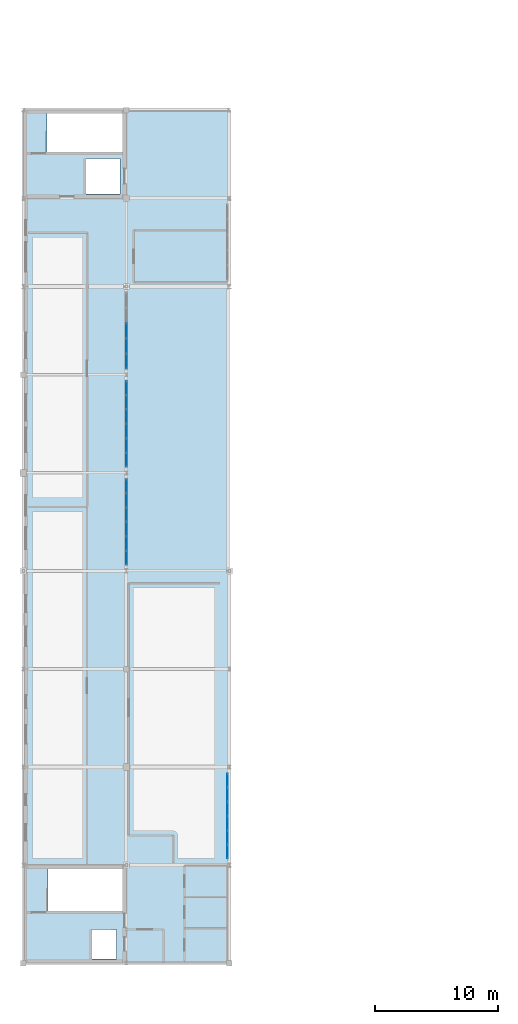
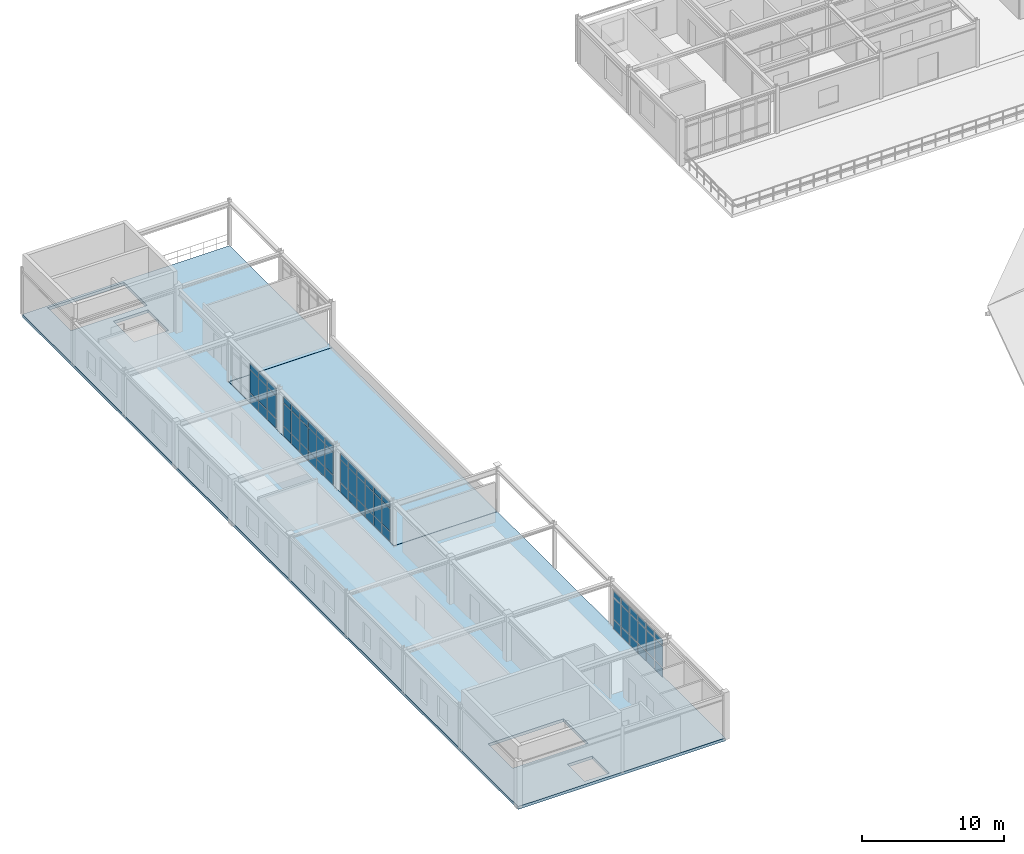
# One storey, part 32 of 58: 63 plates, 2 slabs, 4 elements without a shape of their own.
"""IFC4 building model written with IfcOpenShell, lengths in metres."""

from ifc_helpers import new_model, si_unit, derived_unit, direction, frame, origin, origin_2d, place, context, subcontext, project, spatial, polyline, rectangle, outline, extrude, material, layer, layer_set, type_object, element, aggregate, save


model = new_model("IFC4")

# Units and contexts
model_context = context("Model", 3, precision=1e-05, world=origin(), true_north=direction((0.0, 1.0)))
body_context = subcontext(model_context, "Body", "Model", "MODEL_VIEW")
ifc_project = project(units=[si_unit("LENGTHUNIT", "METRE"), si_unit("AREAUNIT", "SQUARE_METRE"), si_unit("VOLUMEUNIT", "CUBIC_METRE"), si_unit("PLANEANGLEUNIT", "RADIAN"), si_unit("MASSUNIT", "GRAM", prefix="KILO"), derived_unit("THERMALTRANSMITTANCEUNIT", [(si_unit("POWERUNIT", "WATT"), 1), (si_unit("AREAUNIT", "SQUARE_METRE"), -1), (si_unit("THERMODYNAMICTEMPERATUREUNIT", "KELVIN"), -1)])], contexts=[model_context])

# Site, building, storey
site_placement = place(None, origin())
site = spatial("IfcSite", under=ifc_project, at=site_placement, CompositionType="ELEMENT")
building_placement = place(site_placement, origin())
building = spatial("IfcBuilding", under=site, at=building_placement, Name="Yasenodar Specialist Clinic", CompositionType="ELEMENT")
storey_placement = place(building_placement, frame((0.0, 0.0, 21.300048828125)))
storey = spatial("IfcBuildingStorey", under=building, at=storey_placement, Name="L05", CompositionType="ELEMENT", Elevation=21.300048828125)

# Curtain wall, plates
ifc_material_1 = material(Name="Bronze Anodized Aluminium and Triple Low-E Glass", Category="aluminium")
ifc_layer_1 = layer(ifc_material_1, 0.202880859375)
ifc_layer_set_1 = layer_set([ifc_layer_1], Name="Bronze Anodized Aluminium and Triple Low-E Glass")
curtain_wall_type = type_object("IfcCurtainWallType", Name="CW-SYS-04", PredefinedType="USERDEFINED", material=ifc_layer_set_1)
curtain_wall_1_placement = place(storey_placement, origin())
curtain_wall_1 = element("IfcCurtainWall", 1, at=curtain_wall_1_placement, inside=storey, type_object=curtain_wall_type, Name="L05 Unitised Curtain Wall 144", ObjectType="UNITISED CURTAIN WALL", PredefinedType="USERDEFINED")
ifc_material_2 = material(Name="Triple Low-E Argon Glazing", Category="glass")
ifc_layer_2 = layer(ifc_material_2, 0.028076171875)
ifc_layer_set_2 = layer_set([ifc_layer_2], Name="Triple Low-E Argon Glazing")
plate_type_1 = type_object("IfcPlateType", Name="CW-PAN-1", PredefinedType="CURTAIN_PANEL", material=ifc_layer_set_2)
plate_1_placement = place(storey_placement, frame((8.39990234375, 73.71826171875, 0.059814453125), z_axis=(0.0, 0.0, 1.0), x_axis=(0.0, -1.0, 0.0)))
plate_1 = element("IfcPlate", 2, at=plate_1_placement, type_object=plate_type_1, Name="CW-04 panel 1.1", PredefinedType="CURTAIN_PANEL", context=body_context, shape_type="SweptSolid", body=[
    extrude(rectangle(XDim=1.083251953125, YDim=0.028076171875, at=origin_2d()), origin(), (0.0, 0.0, 1.0), 0.81005859375),
])
plate_2_placement = place(storey_placement, frame((8.39990234375, 73.71826171875, 0.929931640625), z_axis=(0.0, 0.0, 1.0), x_axis=(0.0, -1.0, 0.0)))
plate_2 = element("IfcPlate", 3, at=plate_2_placement, type_object=plate_type_1, Name="CW-04 panel 1.2", PredefinedType="CURTAIN_PANEL", context=body_context, shape_type="SweptSolid", body=[
    extrude(rectangle(XDim=1.083251953125, YDim=0.028076171875, at=origin_2d()), origin(), (0.0, 0.0, 1.0), 1.91796875),
])
plate_3_placement = place(storey_placement, frame((8.39990234375, 73.71826171875, 2.90771484375), z_axis=(0.0, 0.0, 1.0), x_axis=(0.0, -1.0, 0.0)))
plate_3 = element("IfcPlate", 4, at=plate_3_placement, type_object=plate_type_1, Name="CW-04 panel 1.3", PredefinedType="CURTAIN_PANEL", context=body_context, shape_type="SweptSolid", body=[
    extrude(rectangle(XDim=1.083251953125, YDim=0.028076171875, at=origin_2d()), origin(), (0.0, 0.0, 1.0), 0.510009765625),
])
plate_4_placement = place(storey_placement, frame((8.39990234375, 72.56005859375, 0.059814453125), z_axis=(0.0, 0.0, 1.0), x_axis=(0.0, -1.0, 0.0)))
plate_4 = element("IfcPlate", 5, at=plate_4_placement, type_object=plate_type_1, Name="CW-04 panel 2.1", PredefinedType="CURTAIN_PANEL", context=body_context, shape_type="SweptSolid", body=[
    extrude(rectangle(XDim=1.11328125, YDim=0.028076171875, at=origin_2d()), origin(), (0.0, 0.0, 1.0), 0.81005859375),
])
plate_5_placement = place(storey_placement, frame((8.39990234375, 72.56005859375, 0.929931640625), z_axis=(0.0, 0.0, 1.0), x_axis=(0.0, -1.0, 0.0)))
plate_5 = element("IfcPlate", 6, at=plate_5_placement, type_object=plate_type_1, Name="CW-04 panel 2.2", PredefinedType="CURTAIN_PANEL", context=body_context, shape_type="SweptSolid", body=[
    extrude(rectangle(XDim=1.11328125, YDim=0.028076171875, at=origin_2d()), origin(), (0.0, 0.0, 1.0), 1.91796875),
])
plate_6_placement = place(storey_placement, frame((8.39990234375, 72.56005859375, 2.90771484375), z_axis=(0.0, 0.0, 1.0), x_axis=(0.0, -1.0, 0.0)))
plate_6 = element("IfcPlate", 7, at=plate_6_placement, type_object=plate_type_1, Name="CW-04 panel 2.3", PredefinedType="CURTAIN_PANEL", context=body_context, shape_type="SweptSolid", body=[
    extrude(rectangle(XDim=1.11328125, YDim=0.028076171875, at=origin_2d()), origin(), (0.0, 0.0, 1.0), 0.510009765625),
])
plate_7_placement = place(storey_placement, frame((8.39990234375, 71.38671875, 0.059814453125), z_axis=(0.0, 0.0, 1.0), x_axis=(0.0, -1.0, 0.0)))
plate_7 = element("IfcPlate", 8, at=plate_7_placement, type_object=plate_type_1, Name="CW-04 panel 3.1", PredefinedType="CURTAIN_PANEL", context=body_context, shape_type="SweptSolid", body=[
    extrude(rectangle(XDim=1.11328125, YDim=0.028076171875, at=origin_2d()), origin(), (0.0, 0.0, 1.0), 0.81005859375),
])
plate_8_placement = place(storey_placement, frame((8.39990234375, 71.38671875, 0.929931640625), z_axis=(0.0, 0.0, 1.0), x_axis=(0.0, -1.0, 0.0)))
plate_8 = element("IfcPlate", 9, at=plate_8_placement, type_object=plate_type_1, Name="CW-04 panel 3.2", PredefinedType="CURTAIN_PANEL", context=body_context, shape_type="SweptSolid", body=[
    extrude(rectangle(XDim=1.11328125, YDim=0.028076171875, at=origin_2d()), origin(), (0.0, 0.0, 1.0), 1.91796875),
])
plate_9_placement = place(storey_placement, frame((8.39990234375, 71.38671875, 2.90771484375), z_axis=(0.0, 0.0, 1.0), x_axis=(0.0, -1.0, 0.0)))
plate_9 = element("IfcPlate", 10, at=plate_9_placement, type_object=plate_type_1, Name="CW-04 panel 3.3", PredefinedType="CURTAIN_PANEL", context=body_context, shape_type="SweptSolid", body=[
    extrude(rectangle(XDim=1.11328125, YDim=0.028076171875, at=origin_2d()), origin(), (0.0, 0.0, 1.0), 0.510009765625),
])
plate_10_placement = place(storey_placement, frame((8.39990234375, 70.21337890625, 0.059814453125), z_axis=(0.0, 0.0, 1.0), x_axis=(0.0, -1.0, 0.0)))
plate_10 = element("IfcPlate", 11, at=plate_10_placement, type_object=plate_type_1, Name="CW-04 panel 4.1", PredefinedType="CURTAIN_PANEL", context=body_context, shape_type="SweptSolid", body=[
    extrude(rectangle(XDim=1.11328125, YDim=0.028076171875, at=origin_2d()), origin(), (0.0, 0.0, 1.0), 0.81005859375),
])
plate_11_placement = place(storey_placement, frame((8.39990234375, 70.21337890625, 0.929931640625), z_axis=(0.0, 0.0, 1.0), x_axis=(0.0, -1.0, 0.0)))
plate_11 = element("IfcPlate", 12, at=plate_11_placement, type_object=plate_type_1, Name="CW-04 panel 4.2", PredefinedType="CURTAIN_PANEL", context=body_context, shape_type="SweptSolid", body=[
    extrude(rectangle(XDim=1.11328125, YDim=0.028076171875, at=origin_2d()), origin(), (0.0, 0.0, 1.0), 1.91796875),
])
plate_12_placement = place(storey_placement, frame((8.39990234375, 70.21337890625, 2.90771484375), z_axis=(0.0, 0.0, 1.0), x_axis=(0.0, -1.0, 0.0)))
plate_12 = element("IfcPlate", 13, at=plate_12_placement, type_object=plate_type_1, Name="CW-04 panel 4.3", PredefinedType="CURTAIN_PANEL", context=body_context, shape_type="SweptSolid", body=[
    extrude(rectangle(XDim=1.11328125, YDim=0.028076171875, at=origin_2d()), origin(), (0.0, 0.0, 1.0), 0.510009765625),
])
plate_13_placement = place(storey_placement, frame((8.39990234375, 69.0400390625, 0.059814453125), z_axis=(0.0, 0.0, 1.0), x_axis=(0.0, -1.0, 0.0)))
plate_13 = element("IfcPlate", 14, at=plate_13_placement, type_object=plate_type_1, Name="CW-04 panel 5.1", PredefinedType="CURTAIN_PANEL", context=body_context, shape_type="SweptSolid", body=[
    extrude(rectangle(XDim=1.11328125, YDim=0.028076171875, at=origin_2d()), origin(), (0.0, 0.0, 1.0), 0.81005859375),
])
plate_14_placement = place(storey_placement, frame((8.39990234375, 69.0400390625, 0.929931640625), z_axis=(0.0, 0.0, 1.0), x_axis=(0.0, -1.0, 0.0)))
plate_14 = element("IfcPlate", 15, at=plate_14_placement, type_object=plate_type_1, Name="CW-04 panel 5.2", PredefinedType="CURTAIN_PANEL", context=body_context, shape_type="SweptSolid", body=[
    extrude(rectangle(XDim=1.11328125, YDim=0.028076171875, at=origin_2d()), origin(), (0.0, 0.0, 1.0), 1.91796875),
])
plate_15_placement = place(storey_placement, frame((8.39990234375, 69.0400390625, 2.90771484375), z_axis=(0.0, 0.0, 1.0), x_axis=(0.0, -1.0, 0.0)))
plate_15 = element("IfcPlate", 16, at=plate_15_placement, type_object=plate_type_1, Name="CW-04 panel 5.3", PredefinedType="CURTAIN_PANEL", context=body_context, shape_type="SweptSolid", body=[
    extrude(rectangle(XDim=1.11328125, YDim=0.028076171875, at=origin_2d()), origin(), (0.0, 0.0, 1.0), 0.510009765625),
])
plate_16_placement = place(storey_placement, frame((8.39990234375, 67.881591796875, 0.059814453125), z_axis=(0.0, 0.0, 1.0), x_axis=(0.0, -1.0, 0.0)))
plate_16 = element("IfcPlate", 17, at=plate_16_placement, type_object=plate_type_1, Name="CW-04 panel 6.1", PredefinedType="CURTAIN_PANEL", context=body_context, shape_type="SweptSolid", body=[
    extrude(rectangle(XDim=1.083251953125, YDim=0.028076171875, at=origin_2d()), origin(), (0.0, 0.0, 1.0), 0.81005859375),
])
plate_17_placement = place(storey_placement, frame((8.39990234375, 67.881591796875, 0.929931640625), z_axis=(0.0, 0.0, 1.0), x_axis=(0.0, -1.0, 0.0)))
plate_17 = element("IfcPlate", 18, at=plate_17_placement, type_object=plate_type_1, Name="CW-04 panel 6.2", PredefinedType="CURTAIN_PANEL", context=body_context, shape_type="SweptSolid", body=[
    extrude(rectangle(XDim=1.083251953125, YDim=0.028076171875, at=origin_2d()), origin(), (0.0, 0.0, 1.0), 1.91796875),
])
plate_18_placement = place(storey_placement, frame((8.39990234375, 67.881591796875, 2.90771484375), z_axis=(0.0, 0.0, 1.0), x_axis=(0.0, -1.0, 0.0)))
plate_18 = element("IfcPlate", 19, at=plate_18_placement, type_object=plate_type_1, Name="CW-04 panel 6.3", PredefinedType="CURTAIN_PANEL", context=body_context, shape_type="SweptSolid", body=[
    extrude(rectangle(XDim=1.083251953125, YDim=0.028076171875, at=origin_2d()), origin(), (0.0, 0.0, 1.0), 0.510009765625),
])
aggregate(curtain_wall_1, [plate_1, plate_2, plate_3, plate_4, plate_5, plate_6, plate_7, plate_8, plate_9, plate_10, plate_11, plate_12, plate_13, plate_14, plate_15, plate_16, plate_17, plate_18])

curtain_wall_2_placement = place(storey_placement, origin())
curtain_wall_2 = element("IfcCurtainWall", 20, at=curtain_wall_2_placement, inside=storey, type_object=curtain_wall_type, Name="L05 Unitised Curtain Wall 145", ObjectType="UNITISED CURTAIN WALL", PredefinedType="USERDEFINED")
ifc_layer_3 = layer(ifc_material_2, 0.033935546875)
ifc_layer_set_3 = layer_set([ifc_layer_3], Name="Triple Low-E Argon Glazing")
plate_type_2 = type_object("IfcPlateType", Name="CW-PAN-2", PredefinedType="CURTAIN_PANEL", material=ifc_layer_set_3)
plate_19_placement = place(storey_placement, frame((16.64990234375, 49.714599609375, 0.074951171875), z_axis=(0.0, 0.0, 1.0), x_axis=(0.0, -1.0, 0.0)))
plate_19 = element("IfcPlate", 21, at=plate_19_placement, type_object=plate_type_2, Name="CW-04 panel 1.1", PredefinedType="CURTAIN_PANEL", context=body_context, shape_type="SweptSolid", body=[
    extrude(rectangle(XDim=1.060791015625, YDim=0.033935546875, at=origin_2d()), origin(), (0.0, 0.0, 1.0), 0.78759765625),
])
plate_20_placement = place(storey_placement, frame((16.64990234375, 49.714599609375, 0.9375), z_axis=(0.0, 0.0, 1.0), x_axis=(0.0, -1.0, 0.0)))
plate_20 = element("IfcPlate", 22, at=plate_20_placement, type_object=plate_type_2, Name="CW-04 panel 1.2", PredefinedType="CURTAIN_PANEL", context=body_context, shape_type="SweptSolid", body=[
    extrude(rectangle(XDim=1.060791015625, YDim=0.033935546875, at=origin_2d()), origin(), (0.0, 0.0, 1.0), 1.802978515625),
])
plate_21_placement = place(storey_placement, frame((16.64990234375, 49.714599609375, 2.8154296875), z_axis=(0.0, 0.0, 1.0), x_axis=(0.0, -1.0, 0.0)))
plate_21 = element("IfcPlate", 23, at=plate_21_placement, type_object=plate_type_2, Name="CW-04 panel 1.3", PredefinedType="CURTAIN_PANEL", context=body_context, shape_type="SweptSolid", body=[
    extrude(rectangle(XDim=1.060791015625, YDim=0.033935546875, at=origin_2d()), origin(), (0.0, 0.0, 1.0), 0.487548828125),
])
plate_22_placement = place(storey_placement, frame((16.64990234375, 48.56005859375, 0.074951171875), z_axis=(0.0, 0.0, 1.0), x_axis=(0.0, -1.0, 0.0)))
plate_22 = element("IfcPlate", 24, at=plate_22_placement, type_object=plate_type_2, Name="CW-04 panel 2.1", PredefinedType="CURTAIN_PANEL", context=body_context, shape_type="SweptSolid", body=[
    extrude(rectangle(XDim=1.098388671875, YDim=0.033935546875, at=origin_2d()), origin(), (0.0, 0.0, 1.0), 0.78759765625),
])
plate_23_placement = place(storey_placement, frame((16.64990234375, 48.56005859375, 0.9375), z_axis=(0.0, 0.0, 1.0), x_axis=(0.0, -1.0, 0.0)))
plate_23 = element("IfcPlate", 25, at=plate_23_placement, type_object=plate_type_2, Name="CW-04 panel 2.2", PredefinedType="CURTAIN_PANEL", context=body_context, shape_type="SweptSolid", body=[
    extrude(rectangle(XDim=1.098388671875, YDim=0.033935546875, at=origin_2d()), origin(), (0.0, 0.0, 1.0), 1.802978515625),
])
plate_24_placement = place(storey_placement, frame((16.64990234375, 48.56005859375, 2.8154296875), z_axis=(0.0, 0.0, 1.0), x_axis=(0.0, -1.0, 0.0)))
plate_24 = element("IfcPlate", 26, at=plate_24_placement, type_object=plate_type_2, Name="CW-04 panel 2.3", PredefinedType="CURTAIN_PANEL", context=body_context, shape_type="SweptSolid", body=[
    extrude(rectangle(XDim=1.098388671875, YDim=0.033935546875, at=origin_2d()), origin(), (0.0, 0.0, 1.0), 0.487548828125),
])
plate_25_placement = place(storey_placement, frame((16.64990234375, 47.38671875, 0.074951171875), z_axis=(0.0, 0.0, 1.0), x_axis=(0.0, -1.0, 0.0)))
plate_25 = element("IfcPlate", 27, at=plate_25_placement, type_object=plate_type_2, Name="CW-04 panel 3.1", PredefinedType="CURTAIN_PANEL", context=body_context, shape_type="SweptSolid", body=[
    extrude(rectangle(XDim=1.098388671875, YDim=0.033935546875, at=origin_2d()), origin(), (0.0, 0.0, 1.0), 0.78759765625),
])
plate_26_placement = place(storey_placement, frame((16.64990234375, 47.38671875, 0.9375), z_axis=(0.0, 0.0, 1.0), x_axis=(0.0, -1.0, 0.0)))
plate_26 = element("IfcPlate", 28, at=plate_26_placement, type_object=plate_type_2, Name="CW-04 panel 3.2", PredefinedType="CURTAIN_PANEL", context=body_context, shape_type="SweptSolid", body=[
    extrude(rectangle(XDim=1.098388671875, YDim=0.033935546875, at=origin_2d()), origin(), (0.0, 0.0, 1.0), 1.802978515625),
])
plate_27_placement = place(storey_placement, frame((16.64990234375, 47.38671875, 2.8154296875), z_axis=(0.0, 0.0, 1.0), x_axis=(0.0, -1.0, 0.0)))
plate_27 = element("IfcPlate", 29, at=plate_27_placement, type_object=plate_type_2, Name="CW-04 panel 3.3", PredefinedType="CURTAIN_PANEL", context=body_context, shape_type="SweptSolid", body=[
    extrude(rectangle(XDim=1.098388671875, YDim=0.033935546875, at=origin_2d()), origin(), (0.0, 0.0, 1.0), 0.487548828125),
])
plate_28_placement = place(storey_placement, frame((16.64990234375, 46.21337890625, 0.074951171875), z_axis=(0.0, 0.0, 1.0), x_axis=(0.0, -1.0, 0.0)))
plate_28 = element("IfcPlate", 30, at=plate_28_placement, type_object=plate_type_2, Name="CW-04 panel 4.1", PredefinedType="CURTAIN_PANEL", context=body_context, shape_type="SweptSolid", body=[
    extrude(rectangle(XDim=1.098388671875, YDim=0.033935546875, at=origin_2d()), origin(), (0.0, 0.0, 1.0), 0.78759765625),
])
plate_29_placement = place(storey_placement, frame((16.64990234375, 46.21337890625, 0.9375), z_axis=(0.0, 0.0, 1.0), x_axis=(0.0, -1.0, 0.0)))
plate_29 = element("IfcPlate", 31, at=plate_29_placement, type_object=plate_type_2, Name="CW-04 panel 4.2", PredefinedType="CURTAIN_PANEL", context=body_context, shape_type="SweptSolid", body=[
    extrude(rectangle(XDim=1.098388671875, YDim=0.033935546875, at=origin_2d()), origin(), (0.0, 0.0, 1.0), 1.802978515625),
])
plate_30_placement = place(storey_placement, frame((16.64990234375, 46.21337890625, 2.8154296875), z_axis=(0.0, 0.0, 1.0), x_axis=(0.0, -1.0, 0.0)))
plate_30 = element("IfcPlate", 32, at=plate_30_placement, type_object=plate_type_2, Name="CW-04 panel 4.3", PredefinedType="CURTAIN_PANEL", context=body_context, shape_type="SweptSolid", body=[
    extrude(rectangle(XDim=1.098388671875, YDim=0.033935546875, at=origin_2d()), origin(), (0.0, 0.0, 1.0), 0.487548828125),
])
plate_31_placement = place(storey_placement, frame((16.64990234375, 45.0400390625, 0.074951171875), z_axis=(0.0, 0.0, 1.0), x_axis=(0.0, -1.0, 0.0)))
plate_31 = element("IfcPlate", 33, at=plate_31_placement, type_object=plate_type_2, Name="CW-04 panel 5.1", PredefinedType="CURTAIN_PANEL", context=body_context, shape_type="SweptSolid", body=[
    extrude(rectangle(XDim=1.098388671875, YDim=0.033935546875, at=origin_2d()), origin(), (0.0, 0.0, 1.0), 0.78759765625),
])
plate_32_placement = place(storey_placement, frame((16.64990234375, 45.0400390625, 0.9375), z_axis=(0.0, 0.0, 1.0), x_axis=(0.0, -1.0, 0.0)))
plate_32 = element("IfcPlate", 34, at=plate_32_placement, type_object=plate_type_2, Name="CW-04 panel 5.2", PredefinedType="CURTAIN_PANEL", context=body_context, shape_type="SweptSolid", body=[
    extrude(rectangle(XDim=1.098388671875, YDim=0.033935546875, at=origin_2d()), origin(), (0.0, 0.0, 1.0), 1.802978515625),
])
plate_33_placement = place(storey_placement, frame((16.64990234375, 45.0400390625, 2.8154296875), z_axis=(0.0, 0.0, 1.0), x_axis=(0.0, -1.0, 0.0)))
plate_33 = element("IfcPlate", 35, at=plate_33_placement, type_object=plate_type_2, Name="CW-04 panel 5.3", PredefinedType="CURTAIN_PANEL", context=body_context, shape_type="SweptSolid", body=[
    extrude(rectangle(XDim=1.098388671875, YDim=0.033935546875, at=origin_2d()), origin(), (0.0, 0.0, 1.0), 0.487548828125),
])
plate_34_placement = place(storey_placement, frame((16.64990234375, 43.885498046875, 0.074951171875), z_axis=(0.0, 0.0, 1.0), x_axis=(0.0, -1.0, 0.0)))
plate_34 = element("IfcPlate", 36, at=plate_34_placement, type_object=plate_type_2, Name="CW-04 panel 6.1", PredefinedType="CURTAIN_PANEL", context=body_context, shape_type="SweptSolid", body=[
    extrude(rectangle(XDim=1.060791015625, YDim=0.033935546875, at=origin_2d()), origin(), (0.0, 0.0, 1.0), 0.78759765625),
])
plate_35_placement = place(storey_placement, frame((16.64990234375, 43.885498046875, 0.9375), z_axis=(0.0, 0.0, 1.0), x_axis=(0.0, -1.0, 0.0)))
plate_35 = element("IfcPlate", 37, at=plate_35_placement, type_object=plate_type_2, Name="CW-04 panel 6.2", PredefinedType="CURTAIN_PANEL", context=body_context, shape_type="SweptSolid", body=[
    extrude(rectangle(XDim=1.060791015625, YDim=0.033935546875, at=origin_2d()), origin(), (0.0, 0.0, 1.0), 1.802978515625),
])
plate_36_placement = place(storey_placement, frame((16.64990234375, 43.885498046875, 2.8154296875), z_axis=(0.0, 0.0, 1.0), x_axis=(0.0, -1.0, 0.0)))
plate_36 = element("IfcPlate", 38, at=plate_36_placement, type_object=plate_type_2, Name="CW-04 panel 6.3", PredefinedType="CURTAIN_PANEL", context=body_context, shape_type="SweptSolid", body=[
    extrude(rectangle(XDim=1.060791015625, YDim=0.033935546875, at=origin_2d()), origin(), (0.0, 0.0, 1.0), 0.487548828125),
])
aggregate(curtain_wall_2, [plate_19, plate_20, plate_21, plate_22, plate_23, plate_24, plate_25, plate_26, plate_27, plate_28, plate_29, plate_30, plate_31, plate_32, plate_33, plate_34, plate_35, plate_36])

curtain_wall_3_placement = place(storey_placement, origin())
curtain_wall_3 = element("IfcCurtainWall", 39, at=curtain_wall_3_placement, inside=storey, type_object=curtain_wall_type, Name="L05 Unitised Curtain Wall 142", ObjectType="UNITISED CURTAIN WALL", PredefinedType="USERDEFINED")
ifc_layer_4 = layer(ifc_material_2, 0.0400390625)
ifc_layer_set_4 = layer_set([ifc_layer_4], Name="Triple Low-E Argon Glazing")
plate_type_3 = type_object("IfcPlateType", Name="CW-PAN-3", PredefinedType="CURTAIN_PANEL", material=ifc_layer_set_4)
plate_37_placement = place(storey_placement, frame((8.39990234375, 86.39990234375, 0.059814453125), z_axis=(0.0, 0.0, 1.0), x_axis=(0.0, -1.0, 0.0)))
plate_37 = element("IfcPlate", 40, at=plate_37_placement, type_object=plate_type_3, Name="CW-04 panel 3.1", PredefinedType="CURTAIN_PANEL", context=body_context, shape_type="SweptSolid", body=[
    extrude(rectangle(XDim=1.18798828125, YDim=0.0400390625, at=origin_2d()), origin(), (0.0, 0.0, 1.0), 0.81005859375),
])
plate_38_placement = place(storey_placement, frame((8.39990234375, 86.39990234375, 0.93017578125), z_axis=(0.0, 0.0, 1.0), x_axis=(0.0, -1.0, 0.0)))
plate_38 = element("IfcPlate", 41, at=plate_38_placement, type_object=plate_type_3, Name="CW-04 panel 3.2", PredefinedType="CURTAIN_PANEL", context=body_context, shape_type="SweptSolid", body=[
    extrude(rectangle(XDim=1.18798828125, YDim=0.0400390625, at=origin_2d()), origin(), (0.0, 0.0, 1.0), 1.927978515625),
])
plate_39_placement = place(storey_placement, frame((8.39990234375, 86.39990234375, 2.91796875), z_axis=(0.0, 0.0, 1.0), x_axis=(0.0, -1.0, 0.0)))
plate_39 = element("IfcPlate", 42, at=plate_39_placement, type_object=plate_type_3, Name="CW-04 panel 3.3", PredefinedType="CURTAIN_PANEL", context=body_context, shape_type="SweptSolid", body=[
    extrude(rectangle(XDim=1.18798828125, YDim=0.0400390625, at=origin_2d()), origin(), (0.0, 0.0, 1.0), 0.510009765625),
])
plate_40_placement = place(storey_placement, frame((8.39990234375, 85.152099609375, 0.059814453125), z_axis=(0.0, 0.0, 1.0), x_axis=(0.0, -1.0, 0.0)))
plate_40 = element("IfcPlate", 43, at=plate_40_placement, type_object=plate_type_3, Name="CW-04 panel 4.1", PredefinedType="CURTAIN_PANEL", context=body_context, shape_type="SweptSolid", body=[
    extrude(rectangle(XDim=1.18798828125, YDim=0.0400390625, at=origin_2d()), origin(), (0.0, 0.0, 1.0), 0.81005859375),
])
plate_41_placement = place(storey_placement, frame((8.39990234375, 85.152099609375, 0.93017578125), z_axis=(0.0, 0.0, 1.0), x_axis=(0.0, -1.0, 0.0)))
plate_41 = element("IfcPlate", 44, at=plate_41_placement, type_object=plate_type_3, Name="CW-04 panel 4.2", PredefinedType="CURTAIN_PANEL", context=body_context, shape_type="SweptSolid", body=[
    extrude(rectangle(XDim=1.18798828125, YDim=0.0400390625, at=origin_2d()), origin(), (0.0, 0.0, 1.0), 1.927978515625),
])
plate_42_placement = place(storey_placement, frame((8.39990234375, 85.152099609375, 2.91796875), z_axis=(0.0, 0.0, 1.0), x_axis=(0.0, -1.0, 0.0)))
plate_42 = element("IfcPlate", 45, at=plate_42_placement, type_object=plate_type_3, Name="CW-04 panel 4.3", PredefinedType="CURTAIN_PANEL", context=body_context, shape_type="SweptSolid", body=[
    extrude(rectangle(XDim=1.18798828125, YDim=0.0400390625, at=origin_2d()), origin(), (0.0, 0.0, 1.0), 0.510009765625),
])
plate_43_placement = place(storey_placement, frame((8.39990234375, 83.9189453125, 0.059814453125), z_axis=(0.0, 0.0, 1.0), x_axis=(0.0, -1.0, 0.0)))
plate_43 = element("IfcPlate", 46, at=plate_43_placement, type_object=plate_type_3, Name="CW-04 panel 5.1", PredefinedType="CURTAIN_PANEL", context=body_context, shape_type="SweptSolid", body=[
    extrude(rectangle(XDim=1.157958984375, YDim=0.0400390625, at=origin_2d()), origin(), (0.0, 0.0, 1.0), 0.81005859375),
])
plate_44_placement = place(storey_placement, frame((8.39990234375, 83.9189453125, 0.93017578125), z_axis=(0.0, 0.0, 1.0), x_axis=(0.0, -1.0, 0.0)))
plate_44 = element("IfcPlate", 47, at=plate_44_placement, type_object=plate_type_3, Name="CW-04 panel 5.2", PredefinedType="CURTAIN_PANEL", context=body_context, shape_type="SweptSolid", body=[
    extrude(rectangle(XDim=1.157958984375, YDim=0.0400390625, at=origin_2d()), origin(), (0.0, 0.0, 1.0), 1.927978515625),
])
plate_45_placement = place(storey_placement, frame((8.39990234375, 83.9189453125, 2.91796875), z_axis=(0.0, 0.0, 1.0), x_axis=(0.0, -1.0, 0.0)))
plate_45 = element("IfcPlate", 48, at=plate_45_placement, type_object=plate_type_3, Name="CW-04 panel 5.3", PredefinedType="CURTAIN_PANEL", context=body_context, shape_type="SweptSolid", body=[
    extrude(rectangle(XDim=1.157958984375, YDim=0.0400390625, at=origin_2d()), origin(), (0.0, 0.0, 1.0), 0.510009765625),
])
aggregate(curtain_wall_3, [plate_37, plate_38, plate_39, plate_40, plate_41, plate_42, plate_43, plate_44, plate_45])

curtain_wall_4_placement = place(storey_placement, origin())
curtain_wall_4 = element("IfcCurtainWall", 49, at=curtain_wall_4_placement, inside=storey, type_object=curtain_wall_type, Name="L05 Unitised Curtain Wall 143", ObjectType="UNITISED CURTAIN WALL", PredefinedType="USERDEFINED")
ifc_layer_5 = layer(ifc_material_2, 0.0458984375)
ifc_layer_set_5 = layer_set([ifc_layer_5], Name="Triple Low-E Argon Glazing")
plate_type_4 = type_object("IfcPlateType", Name="CW-PAN-4", PredefinedType="CURTAIN_PANEL", material=ifc_layer_set_5)
plate_46_placement = place(storey_placement, frame((8.39990234375, 81.71826171875, 0.059814453125), z_axis=(0.0, 0.0, 1.0), x_axis=(0.0, -1.0, 0.0)))
plate_46 = element("IfcPlate", 50, at=plate_46_placement, type_object=plate_type_4, Name="CW-04 panel 1.1", PredefinedType="CURTAIN_PANEL", context=body_context, shape_type="SweptSolid", body=[
    extrude(rectangle(XDim=1.083251953125, YDim=0.0458984375, at=origin_2d()), origin(), (0.0, 0.0, 1.0), 0.81005859375),
])
plate_47_placement = place(storey_placement, frame((8.39990234375, 81.71826171875, 0.929931640625), z_axis=(0.0, 0.0, 1.0), x_axis=(0.0, -1.0, 0.0)))
plate_47 = element("IfcPlate", 51, at=plate_47_placement, type_object=plate_type_4, Name="CW-04 panel 1.2", PredefinedType="CURTAIN_PANEL", context=body_context, shape_type="SweptSolid", body=[
    extrude(rectangle(XDim=1.083251953125, YDim=0.0458984375, at=origin_2d()), origin(), (0.0, 0.0, 1.0), 1.93798828125),
])
plate_48_placement = place(storey_placement, frame((8.39990234375, 81.71826171875, 2.927734375), z_axis=(0.0, 0.0, 1.0), x_axis=(0.0, -1.0, 0.0)))
plate_48 = element("IfcPlate", 52, at=plate_48_placement, type_object=plate_type_4, Name="CW-04 panel 1.3", PredefinedType="CURTAIN_PANEL", context=body_context, shape_type="SweptSolid", body=[
    extrude(rectangle(XDim=1.083251953125, YDim=0.0458984375, at=origin_2d()), origin(), (0.0, 0.0, 1.0), 0.510009765625),
])
plate_49_placement = place(storey_placement, frame((8.39990234375, 80.56005859375, 0.059814453125), z_axis=(0.0, 0.0, 1.0), x_axis=(0.0, -1.0, 0.0)))
plate_49 = element("IfcPlate", 53, at=plate_49_placement, type_object=plate_type_4, Name="CW-04 panel 2.1", PredefinedType="CURTAIN_PANEL", context=body_context, shape_type="SweptSolid", body=[
    extrude(rectangle(XDim=1.11328125, YDim=0.0458984375, at=origin_2d()), origin(), (0.0, 0.0, 1.0), 0.81005859375),
])
plate_50_placement = place(storey_placement, frame((8.39990234375, 80.56005859375, 0.929931640625), z_axis=(0.0, 0.0, 1.0), x_axis=(0.0, -1.0, 0.0)))
plate_50 = element("IfcPlate", 54, at=plate_50_placement, type_object=plate_type_4, Name="CW-04 panel 2.2", PredefinedType="CURTAIN_PANEL", context=body_context, shape_type="SweptSolid", body=[
    extrude(rectangle(XDim=1.11328125, YDim=0.0458984375, at=origin_2d()), origin(), (0.0, 0.0, 1.0), 1.93798828125),
])
plate_51_placement = place(storey_placement, frame((8.39990234375, 80.56005859375, 2.927734375), z_axis=(0.0, 0.0, 1.0), x_axis=(0.0, -1.0, 0.0)))
plate_51 = element("IfcPlate", 55, at=plate_51_placement, type_object=plate_type_4, Name="CW-04 panel 2.3", PredefinedType="CURTAIN_PANEL", context=body_context, shape_type="SweptSolid", body=[
    extrude(rectangle(XDim=1.11328125, YDim=0.0458984375, at=origin_2d()), origin(), (0.0, 0.0, 1.0), 0.510009765625),
])
plate_52_placement = place(storey_placement, frame((8.39990234375, 79.38671875, 0.059814453125), z_axis=(0.0, 0.0, 1.0), x_axis=(0.0, -1.0, 0.0)))
plate_52 = element("IfcPlate", 56, at=plate_52_placement, type_object=plate_type_4, Name="CW-04 panel 3.1", PredefinedType="CURTAIN_PANEL", context=body_context, shape_type="SweptSolid", body=[
    extrude(rectangle(XDim=1.11328125, YDim=0.0458984375, at=origin_2d()), origin(), (0.0, 0.0, 1.0), 0.81005859375),
])
plate_53_placement = place(storey_placement, frame((8.39990234375, 79.38671875, 0.929931640625), z_axis=(0.0, 0.0, 1.0), x_axis=(0.0, -1.0, 0.0)))
plate_53 = element("IfcPlate", 57, at=plate_53_placement, type_object=plate_type_4, Name="CW-04 panel 3.2", PredefinedType="CURTAIN_PANEL", context=body_context, shape_type="SweptSolid", body=[
    extrude(rectangle(XDim=1.11328125, YDim=0.0458984375, at=origin_2d()), origin(), (0.0, 0.0, 1.0), 1.93798828125),
])
plate_54_placement = place(storey_placement, frame((8.39990234375, 79.38671875, 2.927734375), z_axis=(0.0, 0.0, 1.0), x_axis=(0.0, -1.0, 0.0)))
plate_54 = element("IfcPlate", 58, at=plate_54_placement, type_object=plate_type_4, Name="CW-04 panel 3.3", PredefinedType="CURTAIN_PANEL", context=body_context, shape_type="SweptSolid", body=[
    extrude(rectangle(XDim=1.11328125, YDim=0.0458984375, at=origin_2d()), origin(), (0.0, 0.0, 1.0), 0.510009765625),
])
plate_55_placement = place(storey_placement, frame((8.39990234375, 78.21337890625, 0.059814453125), z_axis=(0.0, 0.0, 1.0), x_axis=(0.0, -1.0, 0.0)))
plate_55 = element("IfcPlate", 59, at=plate_55_placement, type_object=plate_type_4, Name="CW-04 panel 4.1", PredefinedType="CURTAIN_PANEL", context=body_context, shape_type="SweptSolid", body=[
    extrude(rectangle(XDim=1.11328125, YDim=0.0458984375, at=origin_2d()), origin(), (0.0, 0.0, 1.0), 0.81005859375),
])
plate_56_placement = place(storey_placement, frame((8.39990234375, 78.21337890625, 0.929931640625), z_axis=(0.0, 0.0, 1.0), x_axis=(0.0, -1.0, 0.0)))
plate_56 = element("IfcPlate", 60, at=plate_56_placement, type_object=plate_type_4, Name="CW-04 panel 4.2", PredefinedType="CURTAIN_PANEL", context=body_context, shape_type="SweptSolid", body=[
    extrude(rectangle(XDim=1.11328125, YDim=0.0458984375, at=origin_2d()), origin(), (0.0, 0.0, 1.0), 1.93798828125),
])
plate_57_placement = place(storey_placement, frame((8.39990234375, 78.21337890625, 2.927734375), z_axis=(0.0, 0.0, 1.0), x_axis=(0.0, -1.0, 0.0)))
plate_57 = element("IfcPlate", 61, at=plate_57_placement, type_object=plate_type_4, Name="CW-04 panel 4.3", PredefinedType="CURTAIN_PANEL", context=body_context, shape_type="SweptSolid", body=[
    extrude(rectangle(XDim=1.11328125, YDim=0.0458984375, at=origin_2d()), origin(), (0.0, 0.0, 1.0), 0.510009765625),
])
plate_58_placement = place(storey_placement, frame((8.39990234375, 77.0400390625, 0.059814453125), z_axis=(0.0, 0.0, 1.0), x_axis=(0.0, -1.0, 0.0)))
plate_58 = element("IfcPlate", 62, at=plate_58_placement, type_object=plate_type_4, Name="CW-04 panel 5.1", PredefinedType="CURTAIN_PANEL", context=body_context, shape_type="SweptSolid", body=[
    extrude(rectangle(XDim=1.11328125, YDim=0.0458984375, at=origin_2d()), origin(), (0.0, 0.0, 1.0), 0.81005859375),
])
plate_59_placement = place(storey_placement, frame((8.39990234375, 77.0400390625, 0.929931640625), z_axis=(0.0, 0.0, 1.0), x_axis=(0.0, -1.0, 0.0)))
plate_59 = element("IfcPlate", 63, at=plate_59_placement, type_object=plate_type_4, Name="CW-04 panel 5.2", PredefinedType="CURTAIN_PANEL", context=body_context, shape_type="SweptSolid", body=[
    extrude(rectangle(XDim=1.11328125, YDim=0.0458984375, at=origin_2d()), origin(), (0.0, 0.0, 1.0), 1.93798828125),
])
plate_60_placement = place(storey_placement, frame((8.39990234375, 77.0400390625, 2.927734375), z_axis=(0.0, 0.0, 1.0), x_axis=(0.0, -1.0, 0.0)))
plate_60 = element("IfcPlate", 64, at=plate_60_placement, type_object=plate_type_4, Name="CW-04 panel 5.3", PredefinedType="CURTAIN_PANEL", context=body_context, shape_type="SweptSolid", body=[
    extrude(rectangle(XDim=1.11328125, YDim=0.0458984375, at=origin_2d()), origin(), (0.0, 0.0, 1.0), 0.510009765625),
])
plate_61_placement = place(storey_placement, frame((8.39990234375, 75.881591796875, 0.059814453125), z_axis=(0.0, 0.0, 1.0), x_axis=(0.0, -1.0, 0.0)))
plate_61 = element("IfcPlate", 65, at=plate_61_placement, type_object=plate_type_4, Name="CW-04 panel 6.1", PredefinedType="CURTAIN_PANEL", context=body_context, shape_type="SweptSolid", body=[
    extrude(rectangle(XDim=1.083251953125, YDim=0.0458984375, at=origin_2d()), origin(), (0.0, 0.0, 1.0), 0.81005859375),
])
plate_62_placement = place(storey_placement, frame((8.39990234375, 75.881591796875, 0.929931640625), z_axis=(0.0, 0.0, 1.0), x_axis=(0.0, -1.0, 0.0)))
plate_62 = element("IfcPlate", 66, at=plate_62_placement, type_object=plate_type_4, Name="CW-04 panel 6.2", PredefinedType="CURTAIN_PANEL", context=body_context, shape_type="SweptSolid", body=[
    extrude(rectangle(XDim=1.083251953125, YDim=0.0458984375, at=origin_2d()), origin(), (0.0, 0.0, 1.0), 1.93798828125),
])
plate_63_placement = place(storey_placement, frame((8.39990234375, 75.881591796875, 2.927734375), z_axis=(0.0, 0.0, 1.0), x_axis=(0.0, -1.0, 0.0)))
plate_63 = element("IfcPlate", 67, at=plate_63_placement, type_object=plate_type_4, Name="CW-04 panel 6.3", PredefinedType="CURTAIN_PANEL", context=body_context, shape_type="SweptSolid", body=[
    extrude(rectangle(XDim=1.083251953125, YDim=0.0458984375, at=origin_2d()), origin(), (0.0, 0.0, 1.0), 0.510009765625),
])
aggregate(curtain_wall_4, [plate_46, plate_47, plate_48, plate_49, plate_50, plate_51, plate_52, plate_53, plate_54, plate_55, plate_56, plate_57, plate_58, plate_59, plate_60, plate_61, plate_62, plate_63])

# Slabs
ifc_material_3 = material(Name="Concrete C30/37", Category="concrete")
ifc_layer_6 = layer(ifc_material_3, 0.25)
ifc_layer_set_6 = layer_set([ifc_layer_6], Name="Concrete C30/37")
slab_type_1 = type_object("IfcSlabType", Name="SLB-FLR-250", PredefinedType="FLOOR", material=ifc_layer_set_6)
slab_1_placement = place(storey_placement, frame((0.0, 0.0, -0.25)))
element("IfcSlab", 68, at=slab_1_placement, inside=storey, type_object=slab_type_1, Name="L05 V4 structural slab", PredefinedType="FLOOR", context=body_context, shape_type="SweptSolid", body=[
    extrude(outline(polyline([(0.0, 34.800048828125), (16.800048828125, 34.800048828125), (16.800048828125, 66.800048828125), (8.39990234375, 66.800048828125), (8.39990234375, 90.0), (16.800048828125, 90.0), (16.800048828125, 104.39990234375), (0.0, 104.39990234375), (0.0, 34.800048828125)]), holes=[polyline([(2.02001953125, 39.06005859375), (8.1201171875, 39.06005859375), (8.1201171875, 42.510009765625), (2.02001953125, 42.510009765625), (2.02001953125, 39.06005859375)]), polyline([(1.929931640625, 100.9599609375), (8.1201171875, 100.9599609375), (8.1201171875, 104.199951171875), (1.929931640625, 104.199951171875), (1.929931640625, 100.9599609375)]), polyline([(5.60009765625, 35.14990234375), (7.60009765625, 35.14990234375), (7.60009765625, 37.550048828125), (5.60009765625, 37.550048828125), (5.60009765625, 35.14990234375)]), polyline([(5.10009765625, 97.550048828125), (7.89990234375, 97.550048828125), (7.89990234375, 100.449951171875), (5.10009765625, 100.449951171875), (5.10009765625, 97.550048828125)])]), origin(), (0.0, 0.0, 1.0), 0.25),
])
ifc_layer_7 = layer(ifc_material_3, 0.22509765625)
ifc_layer_set_7 = layer_set([ifc_layer_7], Name="Concrete C30/37")
slab_type_2 = type_object("IfcSlabType", Name="SLB-ROOF-225", PredefinedType="ROOF", material=ifc_layer_set_7)
slab_2_placement = place(storey_placement, frame((0.0, 0.0, -0.22509765625)))
element("IfcSlab", 69, at=slab_2_placement, inside=storey, type_object=slab_type_2, Name="V4 Upper Courtyard Setback Roof Slab", PredefinedType="ROOF", context=body_context, shape_type="SweptSolid", body=[
    extrude(outline(polyline([(16.800048828125, 66.81494140625), (8.4150390625, 66.81494140625), (8.4150390625, 89.985107421875), (16.800048828125, 89.985107421875), (16.800048828125, 66.81494140625)])), origin(), (0.0, 0.0, 1.0), 0.22509765625),
])

save(model, "model.ifc")
